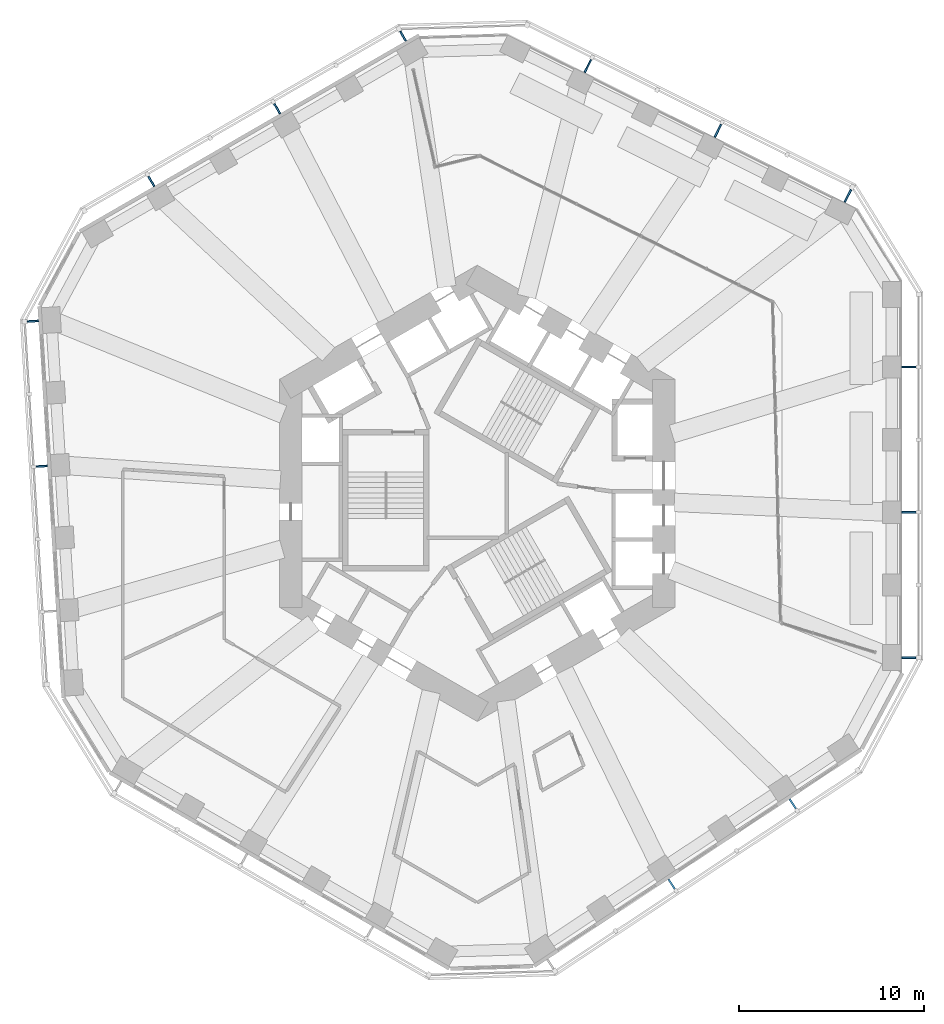
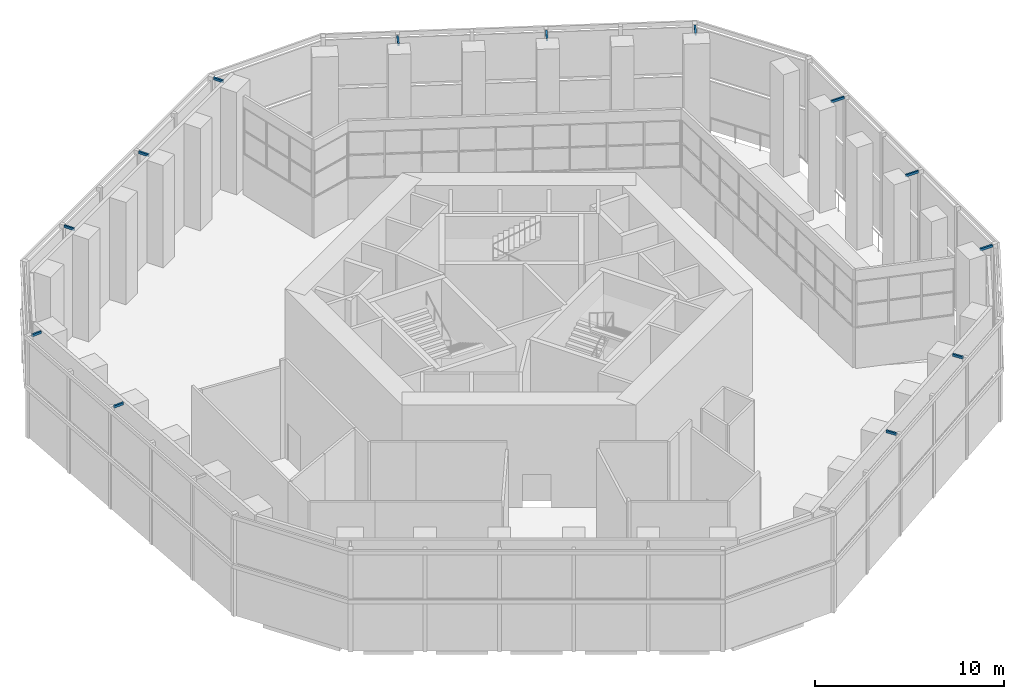
# One storey, part 14 of 17: 13 discrete accessories.
"""IFC4 building model written with IfcOpenShell, lengths in metres."""

from ifc_helpers import new_model, si_unit, direction, frame, origin, origin_2d, place, context, subcontext, project, spatial, rectangle, extrude, material, type_object, element, save


model = new_model("IFC4")

# Units and contexts
model_context = context("Model", 3, precision=1e-05, world=origin(), true_north=direction((0.0, 1.0)))
body_context = subcontext(model_context, "Body", "Model", "MODEL_VIEW")
ifc_project = project(units=[si_unit("LENGTHUNIT", "METRE"), si_unit("AREAUNIT", "SQUARE_METRE"), si_unit("VOLUMEUNIT", "CUBIC_METRE"), si_unit("PLANEANGLEUNIT", "RADIAN"), si_unit("MASSUNIT", "GRAM", prefix="KILO")], contexts=[model_context])

# Site, building, storey
site_placement = place(None, origin())
site = spatial("IfcSite", under=ifc_project, at=site_placement, CompositionType="ELEMENT")
building_placement = place(site_placement, origin())
building = spatial("IfcBuilding", under=site, at=building_placement, Name="Vanh Sen Convention Tower", CompositionType="ELEMENT")
storey_placement = place(building_placement, frame((0.0, 0.0, 77.0)))
storey = spatial("IfcBuildingStorey", under=building, at=storey_placement, Name="L17", CompositionType="ELEMENT", Elevation=77.0)

# Discrete accessories
ifc_material = material(Name="Steel S355", Category="steel")
discrete_accessory_type = type_object("IfcDiscreteAccessoryType", Name="Fin bracket 100 x 150", PredefinedType="BRACKET", material=ifc_material)
discrete_accessory_1_placement = place(storey_placement, frame((23.375, -8.899169921875, 6.400146484375), z_axis=(0.0, 0.0, 1.0), x_axis=(1.0, 0.0, 0.0)))
element("IfcDiscreteAccessory", 1, at=discrete_accessory_1_placement, inside=storey, type_object=discrete_accessory_type, Name="Fin bracket E-1 L17", PredefinedType="BRACKET", context=body_context, shape_type="SweptSolid", body=[
    extrude(rectangle(XDim=0.75, YDim=0.10009765625, at=origin_2d()), origin(), (0.0, 0.0, 1.0), 0.14990234375),
])
for number, where, z_axis, x_axis, name in (
    (2, (23.387451171875, -1.030029296875, 6.400146484375), (0.0, 0.0, 1.0), (1.0, 0.0, 0.0), "Fin bracket E-3 L17"),
    (3, (23.387451171875, 6.839111328125, 6.400146484375), (0.0, 0.0, 1.0), (1.0, 0.0, 0.0), "Fin bracket E-5 L17"),
):
    element("IfcDiscreteAccessory", number, at=place(storey_placement, frame(where, z_axis=z_axis, x_axis=x_axis)), inside=storey, type_object=discrete_accessory_type, Name=name, PredefinedType="BRACKET", context=body_context, shape_type="SweptSolid", body=[
        extrude(rectangle(XDim=0.77490234375, YDim=0.10009765625, at=origin_2d()), origin(), (0.0, 0.0, 1.0), 0.14990234375),
    ])
discrete_accessory_2_placement = place(storey_placement, frame((20.071533203125, 16.11181640625, 6.400146484375), z_axis=(0.0, 0.0, 1.0), x_axis=(0.44619781311, 0.894934361602, 0.0)))
element("IfcDiscreteAccessory", 4, at=discrete_accessory_2_placement, inside=storey, type_object=discrete_accessory_type, Name="Fin bracket NE-1 L17", PredefinedType="BRACKET", context=body_context, shape_type="SweptSolid", body=[
    extrude(rectangle(XDim=0.75, YDim=0.10009765625, at=origin_2d()), origin(), (0.0, 0.0, 1.0), 0.14990234375),
])
for number, where, z_axis, x_axis, name in (
    (5, (13.034912109375, 19.63427734375, 6.400146484375), (0.0, 0.0, 1.0), (0.44619781311, 0.894934361602, 0.0), "Fin bracket NE-3 L17"),
    (6, (5.992431640625, 23.1455078125, 6.400146484375), (0.0, 0.0, 1.0), (0.44619781311, 0.894934361602, 0.0), "Fin bracket NE-5 L17"),
):
    element("IfcDiscreteAccessory", number, at=place(storey_placement, frame(where, z_axis=z_axis, x_axis=x_axis)), inside=storey, type_object=discrete_accessory_type, Name=name, PredefinedType="BRACKET", context=body_context, shape_type="SweptSolid", body=[
        extrude(rectangle(XDim=0.77490234375, YDim=0.10009765625, at=origin_2d()), origin(), (0.0, 0.0, 1.0), 0.14990234375),
    ])
discrete_accessory_3_placement = place(storey_placement, frame((-4.01806640625, 24.7578125, 6.400146484375), z_axis=(0.0, 0.0, 1.0), x_axis=(-0.5, 0.866025403784, 0.0)))
element("IfcDiscreteAccessory", 7, at=discrete_accessory_3_placement, inside=storey, type_object=discrete_accessory_type, Name="Fin bracket NW-1 L17", PredefinedType="BRACKET", context=body_context, shape_type="SweptSolid", body=[
    extrude(rectangle(XDim=0.60009765625, YDim=0.10009765625, at=origin_2d()), origin(), (0.0, 0.0, 1.0), 0.14990234375),
])
for number, where, z_axis, x_axis, name in (
    (8, (-10.839111328125, 20.834228515625, 6.400146484375), (0.0, 0.0, 1.0), (-0.5, 0.866025403784, 0.0), "Fin bracket NW-3 L17"),
    (9, (-17.654296875, 16.899658203125, 6.400146484375), (0.0, 0.0, 1.0), (-0.5, 0.866025403784, 0.0), "Fin bracket NW-5 L17"),
):
    element("IfcDiscreteAccessory", number, at=place(storey_placement, frame(where, z_axis=z_axis, x_axis=x_axis)), inside=storey, type_object=discrete_accessory_type, Name=name, PredefinedType="BRACKET", context=body_context, shape_type="SweptSolid", body=[
        extrude(rectangle(XDim=0.625, YDim=0.10009765625, at=origin_2d()), origin(), (0.0, 0.0, 1.0), 0.14990234375),
    ])
discrete_accessory_4_placement = place(storey_placement, frame((-24.06396484375, 9.322021484375, 6.400146484375), z_axis=(0.0, 0.0, 1.0), x_axis=(-0.998134798422, -0.061048539535, 0.0)))
element("IfcDiscreteAccessory", 10, at=discrete_accessory_4_placement, inside=storey, type_object=discrete_accessory_type, Name="Fin bracket W-1 L17", PredefinedType="BRACKET", context=body_context, shape_type="SweptSolid", body=[
    extrude(rectangle(XDim=0.60009765625, YDim=0.10009765625, at=origin_2d()), origin(), (0.0, 0.0, 1.0), 0.14990234375),
])
for number, where, z_axis, x_axis, name in (
    (11, (-23.595947265625, 1.466796875, 6.400146484375), (0.0, 0.0, 1.0), (-0.998134798422, -0.061048539535, 0.0), "Fin bracket W-3 L17"),
    (12, (10.527587890625, -21.168212890625, 6.400146484375), (0.0, 0.0, 1.0), (0.551936985312, -0.833885822067, 0.0), "Fin bracket SE-3 L17"),
    (13, (17.089599609375, -16.824951171875, 6.400146484375), (0.0, 0.0, 1.0), (0.551936985312, -0.833885822067, 0.0), "Fin bracket SE-5 L17"),
):
    element("IfcDiscreteAccessory", number, at=place(storey_placement, frame(where, z_axis=z_axis, x_axis=x_axis)), inside=storey, type_object=discrete_accessory_type, Name=name, PredefinedType="BRACKET", context=body_context, shape_type="SweptSolid", body=[
        extrude(rectangle(XDim=0.625, YDim=0.10009765625, at=origin_2d()), origin(), (0.0, 0.0, 1.0), 0.14990234375),
    ])

save(model, "model.ifc")
